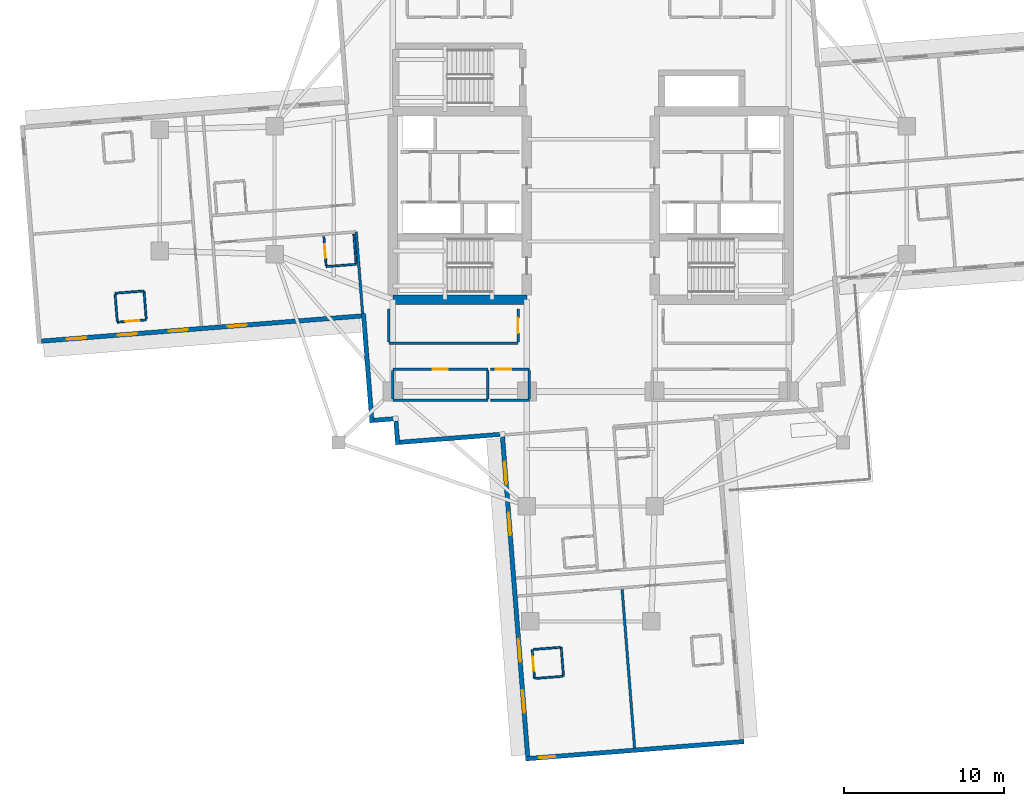
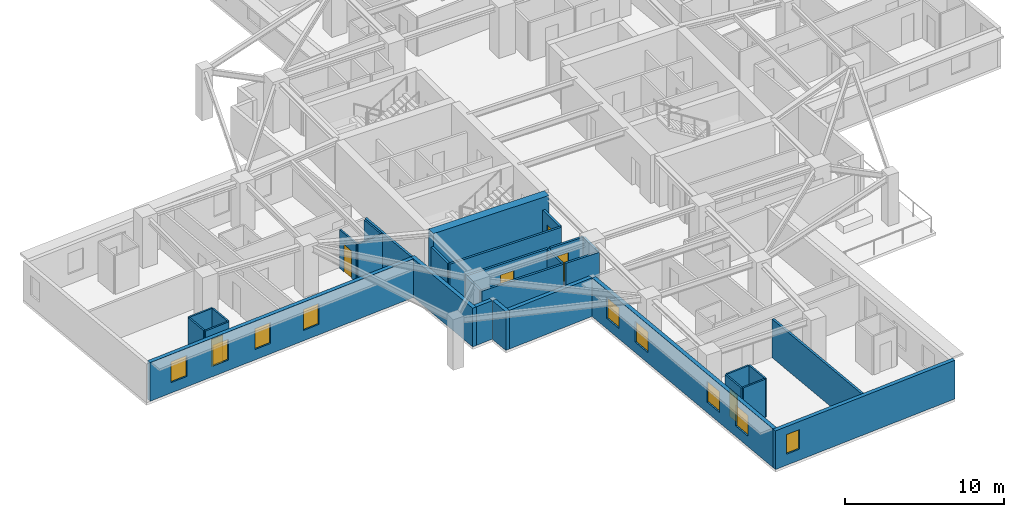
# One storey, part 3 of 14: 31 walls, 9 windows, 6 doors, 15 openings.
"""IFC4 building model written with IfcOpenShell, lengths in metres."""

from ifc_helpers import new_model, si_unit, direction, frame, frame_2d, origin, place, context, subcontext, project, spatial, rectangle, extrude, material, layer, layer_set, type_object, element, fill, save


model = new_model("IFC4")

# Units and contexts
model_context = context("Model", 3, precision=1e-05, world=origin(), true_north=direction((0.0, 1.0)))
body_context = subcontext(model_context, "Body", "Model", "MODEL_VIEW")
ifc_project = project(units=[si_unit("LENGTHUNIT", "METRE"), si_unit("AREAUNIT", "SQUARE_METRE"), si_unit("VOLUMEUNIT", "CUBIC_METRE"), si_unit("PLANEANGLEUNIT", "RADIAN"), si_unit("MASSUNIT", "GRAM", prefix="KILO")], contexts=[model_context])

# Site, building, storey
site_placement = place(None, origin())
site = spatial("IfcSite", under=ifc_project, at=site_placement, CompositionType="ELEMENT")
building_placement = place(site_placement, origin())
building = spatial("IfcBuilding", under=site, at=building_placement, Name="Qingluan Cross Belvedere", CompositionType="ELEMENT")
storey_placement = place(building_placement, frame((0.0, 0.0, 124.199951171875)))
storey = spatial("IfcBuildingStorey", under=building, at=storey_placement, Name="L31", CompositionType="ELEMENT", Elevation=124.199951171875)

# Walls
ifc_material_1 = material(Name="Concrete C60", Category="concrete")
ifc_layer_1 = layer(ifc_material_1, 0.60009765625, Name="CoreShearWall_600")
ifc_layer_set_1 = layer_set([ifc_layer_1], Name="Concrete C60")
wall_type_1 = type_object("IfcWallType", Name="CoreShearWall_600", PredefinedType="SHEAR", material=ifc_layer_set_1)
wall_1_placement = place(storey_placement, frame((-12.39990234375, -6.85009765625, 0.0), z_axis=(0.0, 0.0, 1.0), x_axis=(1.0, 0.0, 0.0)))
element("IfcWall", 1, at=wall_1_placement, inside=storey, type_object=wall_type_1, Name="Split core W shear wall L31-S", PredefinedType="SHEAR", context=body_context, shape_type="SweptSolid", body=[
    extrude(rectangle(XDim=8.39990234375, YDim=0.60009765625, at=frame_2d((4.199951171875, 0.0))), origin(), (0.0, 0.0, 1.0), 3.699951171875),
])
ifc_material_2 = material(Name="Gypsum plasterboard on steel stud acoustic partition", Category="steel")
ifc_layer_2 = layer(ifc_material_2, 0.159912109375, Name="CorridorPartition_160")
ifc_layer_set_2 = layer_set([ifc_layer_2], Name="Gypsum plasterboard on steel stud acoustic partition")
wall_type_2 = type_object("IfcWallType", Name="CorridorPartition_160", PredefinedType="PARTITIONING", material=ifc_layer_set_2)
wall_2_placement = place(storey_placement, frame((-12.39990234375, -13.14990234375, 0.0), z_axis=(0.0, 0.0, 1.0), x_axis=(1.0, 0.0, 0.0)))
element("IfcWall", 2, at=wall_2_placement, inside=storey, type_object=wall_type_2, Name="Partition L31:q_sw1:S", PredefinedType="PARTITIONING", context=body_context, shape_type="SweptSolid", body=[
    extrude(rectangle(XDim=5.949951171875, YDim=0.159912109375, at=frame_2d((2.97509765625, 0.0))), origin(), (0.0, 0.0, 1.0), 2.9599609375),
])

# Wall, opening, door
wall_3_placement = place(storey_placement, frame((-12.39990234375, -11.199951171875, 0.0), z_axis=(0.0, 0.0, 1.0), x_axis=(1.0, 0.0, 0.0)))
wall_3 = element("IfcWall", 3, at=wall_3_placement, inside=storey, type_object=wall_type_2, Name="Partition L31:q_sw1:N", PredefinedType="PARTITIONING", context=body_context, shape_type="SweptSolid", body=[
    extrude(rectangle(XDim=5.949951171875, YDim=0.159912109375, at=frame_2d((2.97509765625, 0.0))), origin(), (0.0, 0.0, 1.0), 2.9599609375),
])
opening_1_placement = place(wall_3_placement, frame((2.4951171875, 0.0, 0.0)))
opening_1 = element("IfcOpeningElement", 4, at=opening_1_placement, cuts=wall_3, Name="Opening GD-10", PredefinedType="OPENING", context=body_context, shape_type="SweptSolid", body=[
    extrude(rectangle(XDim=0.9599609375, YDim=2.14990234375, at=frame_2d((0.47998046875, 1.074951171875))), frame((0.0, 0.08984375, 0.0), z_axis=(0.0, -1.0, 0.0), x_axis=(1.0, 0.0, 0.0)), (0.0, 0.0, 1.0), 0.179931640625),
])
ifc_material_3 = material(Name="Timber oak fire-rated acoustic guestroom door", Category="wood")
door_type_1 = type_object("IfcDoorType", Name="GuestEntryDoor_FD60", OperationType="NOTDEFINED", PredefinedType="DOOR", material=ifc_material_3)
door_1_placement = place(opening_1_placement, origin())
door_1 = element("IfcDoor", 5, at=door_1_placement, inside=storey, type_object=door_type_1, Name="Reading library room L31 door", OperationType="SINGLE_SWING_LEFT", OverallHeight=2.14990234375, OverallWidth=0.9599609375, PredefinedType="DOOR", context=body_context, shape_type="SweptSolid", body=[
    extrude(rectangle(XDim=0.9599609375, YDim=2.14990234375, at=frame_2d((0.47998046875, 1.074951171875))), frame((0.0, 0.02490234375, 0.0), z_axis=(0.0, -1.0, 0.0), x_axis=(1.0, 0.0, 0.0)), (0.0, 0.0, 1.0), 0.050048828125),
])
fill(opening_1, door_1)

# Walls
for number, where, z_axis, x_axis, name in (
    (6, (-12.39990234375, -13.06494140625, 0.0), (0.0, 0.0, 1.0), (0.0, 1.0, 0.0), "Partition L31:q_sw1:W"),
    (7, (-6.449951171875, -13.06494140625, 0.0), (0.0, 0.0, 1.0), (0.0, 1.0, 0.0), "Partition L31:q_sw1:E"),
):
    element("IfcWall", number, at=place(storey_placement, frame(where, z_axis=z_axis, x_axis=x_axis)), inside=storey, type_object=wall_type_2, Name=name, PredefinedType="PARTITIONING", context=body_context, shape_type="SweptSolid", body=[
        extrude(rectangle(XDim=1.780029296875, YDim=0.159912109375, at=frame_2d((0.89013671875, 0.0))), origin(), (0.0, 0.0, 1.0), 2.9599609375),
    ])
wall_4_placement = place(storey_placement, frame((-6.2900390625, -13.14990234375, 0.0), z_axis=(0.0, 0.0, 1.0), x_axis=(1.0, 0.0, 0.0)))
element("IfcWall", 8, at=wall_4_placement, inside=storey, type_object=wall_type_2, Name="Partition L31:q_sw2:S", PredefinedType="PARTITIONING", context=body_context, shape_type="SweptSolid", body=[
    extrude(rectangle(XDim=2.43994140625, YDim=0.159912109375, at=frame_2d((1.219970703125, 0.0))), origin(), (0.0, 0.0, 1.0), 2.9599609375),
])

# Wall, opening, door
wall_5_placement = place(storey_placement, frame((-6.2900390625, -11.199951171875, 0.0), z_axis=(0.0, 0.0, 1.0), x_axis=(1.0, 0.0, 0.0)))
wall_5 = element("IfcWall", 9, at=wall_5_placement, inside=storey, type_object=wall_type_2, Name="Partition L31:q_sw2:N", PredefinedType="PARTITIONING", context=body_context, shape_type="SweptSolid", body=[
    extrude(rectangle(XDim=2.43994140625, YDim=0.159912109375, at=frame_2d((1.219970703125, 0.0))), origin(), (0.0, 0.0, 1.0), 2.9599609375),
])
opening_2_placement = place(wall_5_placement, frame((0.35009765625, 0.0, 0.0)))
opening_2 = element("IfcOpeningElement", 10, at=opening_2_placement, cuts=wall_5, Name="Opening GD-10", PredefinedType="OPENING", context=body_context, shape_type="SweptSolid", body=[
    extrude(rectangle(XDim=0.9599609375, YDim=2.14990234375, at=frame_2d((0.47998046875, 1.074951171875))), frame((0.0, 0.08984375, 0.0), z_axis=(0.0, -1.0, 0.0), x_axis=(1.0, 0.0, 0.0)), (0.0, 0.0, 1.0), 0.179931640625),
])
door_2_placement = place(opening_2_placement, origin())
door_2 = element("IfcDoor", 11, at=door_2_placement, inside=storey, type_object=door_type_1, Name="Southwest reading room L31 door", OperationType="SINGLE_SWING_RIGHT", OverallHeight=2.14990234375, OverallWidth=0.9599609375, PredefinedType="DOOR", context=body_context, shape_type="SweptSolid", body=[
    extrude(rectangle(XDim=0.9599609375, YDim=2.14990234375, at=frame_2d((0.47998046875, 1.074951171875))), frame((0.0, 0.02490234375, 0.0), z_axis=(0.0, -1.0, 0.0), x_axis=(1.0, 0.0, 0.0)), (0.0, 0.0, 1.0), 0.050048828125),
])
fill(opening_2, door_2)

# Walls
wall_6_placement = place(storey_placement, frame((-3.85009765625, -13.06494140625, 0.0), z_axis=(0.0, 0.0, 1.0), x_axis=(0.0, 1.0, 0.0)))
element("IfcWall", 12, at=wall_6_placement, inside=storey, type_object=wall_type_2, Name="Partition L31:q_sw2:E", PredefinedType="PARTITIONING", context=body_context, shape_type="SweptSolid", body=[
    extrude(rectangle(XDim=1.780029296875, YDim=0.159912109375, at=frame_2d((0.89013671875, 0.0))), origin(), (0.0, 0.0, 1.0), 2.9599609375),
])
wall_7_placement = place(storey_placement, frame((-12.64990234375, -9.580078125, 0.0), z_axis=(0.0, 0.0, 1.0), x_axis=(1.0, 0.0, 0.0)))
element("IfcWall", 13, at=wall_7_placement, inside=storey, type_object=wall_type_2, Name="Partition L31:rec_st4_w:S", PredefinedType="PARTITIONING", context=body_context, shape_type="SweptSolid", body=[
    extrude(rectangle(XDim=8.099853515625, YDim=0.159912109375, at=frame_2d((4.0498046875, 0.0))), origin(), (0.0, 0.0, 1.0), 2.9599609375),
])
wall_8_placement = place(storey_placement, frame((-12.64990234375, -9.4951171875, 0.0), z_axis=(0.0, 0.0, 1.0), x_axis=(0.0, 1.0, 0.0)))
element("IfcWall", 14, at=wall_8_placement, inside=storey, type_object=wall_type_2, Name="Partition L31:rec_st4_w:W", PredefinedType="PARTITIONING", context=body_context, shape_type="SweptSolid", body=[
    extrude(rectangle(XDim=2.06005859375, YDim=0.159912109375, at=frame_2d((1.030029296875, 0.0))), origin(), (0.0, 0.0, 1.0), 2.9599609375),
])

# Wall, opening, door
wall_9_placement = place(storey_placement, frame((-4.550048828125, -9.4951171875, 0.0), z_axis=(0.0, 0.0, 1.0), x_axis=(0.0, 1.0, 0.0)))
wall_9 = element("IfcWall", 15, at=wall_9_placement, inside=storey, type_object=wall_type_2, Name="Partition L31:rec_st4_w:E", PredefinedType="PARTITIONING", context=body_context, shape_type="SweptSolid", body=[
    extrude(rectangle(XDim=2.06005859375, YDim=0.159912109375, at=frame_2d((1.030029296875, 0.0))), origin(), (0.0, 0.0, 1.0), 2.9599609375),
])
opening_3_placement = place(wall_9_placement, frame((0.550048828125, 0.0, 0.0)))
opening_3 = element("IfcOpeningElement", 16, at=opening_3_placement, cuts=wall_9, Name="Opening GD-10", PredefinedType="OPENING", context=body_context, shape_type="SweptSolid", body=[
    extrude(rectangle(XDim=0.9599609375, YDim=2.14990234375, at=frame_2d((0.47998046875, 1.074951171875))), frame((0.0, 0.08984375, 0.0), z_axis=(0.0, -1.0, 0.0), x_axis=(1.0, 0.0, 0.0)), (0.0, 0.0, 1.0), 0.179931640625),
])
door_3_placement = place(opening_3_placement, origin())
door_3 = element("IfcDoor", 17, at=door_3_placement, inside=storey, type_object=door_type_1, Name="Southwest club reading room L31 door", OperationType="SINGLE_SWING_LEFT", OverallHeight=2.14990234375, OverallWidth=0.9599609375, PredefinedType="DOOR", context=body_context, shape_type="SweptSolid", body=[
    extrude(rectangle(XDim=0.9599609375, YDim=2.14990234375, at=frame_2d((0.47998046875, 1.074951171875))), frame((0.0, 0.02490234375, 0.0), z_axis=(0.0, -1.0, 0.0), x_axis=(1.0, 0.0, 0.0)), (0.0, 0.0, 1.0), 0.050048828125),
])
fill(opening_3, door_3)

# Walls
wall_10_placement = place(storey_placement, frame((-14.691162109375, -2.6005859375, 0.0), z_axis=(0.0, 0.0, 1.0), x_axis=(0.078446190021, -0.99691834935, 0.0)))
element("IfcWall", 18, at=wall_10_placement, inside=storey, type_object=wall_type_2, Name="Partition L31:W:s1", PredefinedType="PARTITIONING", context=body_context, shape_type="SweptSolid", body=[
    extrude(rectangle(XDim=5.132080078125, YDim=0.159912109375, at=frame_2d((2.56591796875, 0.0))), origin(), (0.0, 0.0, 1.0), 2.9599609375),
])
wall_11_placement = place(storey_placement, frame((1.967041015625, -24.99267578125, 0.0), z_axis=(0.0, 0.0, 1.0), x_axis=(0.078446753713, -0.996918304994, 0.0)))
element("IfcWall", 19, at=wall_11_placement, inside=storey, type_object=wall_type_2, Name="Partition L31:Scap:mid", PredefinedType="PARTITIONING", context=body_context, shape_type="SweptSolid", body=[
    extrude(rectangle(XDim=9.962158203125, YDim=0.159912109375, at=frame_2d((4.98095703125, 0.0))), origin(), (0.0, 0.0, 1.0), 2.9599609375),
])

# Wall, opening, door
ifc_material_4 = material(Name="Moisture-resistant gypsum board lining")
ifc_layer_3 = layer(ifc_material_4, 0.1201171875, Name="EnsuiteWetPartition_120")
ifc_layer_set_3 = layer_set([ifc_layer_3], Name="Moisture-resistant gypsum board lining")
wall_type_3 = type_object("IfcWallType", Name="EnsuiteWetPartition_120", PredefinedType="PARTITIONING", material=ifc_layer_set_3)
wall_12_placement = place(storey_placement, frame((-16.5712890625, -4.714599609375, 0.0), z_axis=(0.0, 0.0, 1.0), x_axis=(-0.078481444107, 0.996915574626, 0.0)))
wall_12 = element("IfcWall", 20, at=wall_12_placement, inside=storey, type_object=wall_type_3, Name="Partition L31:W:bs1_0", PredefinedType="PARTITIONING", context=body_context, shape_type="SweptSolid", body=[
    extrude(rectangle(XDim=1.81982421875, YDim=0.1201171875, at=frame_2d((0.909912109375, 0.0))), origin(), (0.0, 0.0, 1.0), 2.9599609375),
])
opening_4_placement = place(wall_12_placement, frame((0.469970703125, 0.0, 0.0)))
opening_4 = element("IfcOpeningElement", 21, at=opening_4_placement, cuts=wall_12, Name="Opening BD-09", PredefinedType="OPENING", context=body_context, shape_type="SweptSolid", body=[
    extrude(rectangle(XDim=0.8798828125, YDim=2.10009765625, at=frame_2d((0.43994140625, 1.050048828125))), frame((0.0, 0.070068359375, 0.0), z_axis=(0.0, -1.0, 0.0), x_axis=(1.0, 0.0, 0.0)), (0.0, 0.0, 1.0), 0.14013671875),
])
ifc_material_5 = material(Name="Moisture-sealed timber en-suite door", Category="wood")
door_type_2 = type_object("IfcDoorType", Name="BathroomDoor_880", OperationType="NOTDEFINED", PredefinedType="DOOR", material=ifc_material_5)
door_4_placement = place(opening_4_placement, origin())
door_4 = element("IfcDoor", 22, at=door_4_placement, inside=storey, type_object=door_type_2, Name="Bathroom door 3106", OperationType="SINGLE_SWING_LEFT", OverallHeight=2.10009765625, OverallWidth=0.8798828125, PredefinedType="DOOR", context=body_context, shape_type="SweptSolid", body=[
    extrude(rectangle(XDim=0.8798828125, YDim=2.10009765625, at=frame_2d((0.43994140625, 1.050048828125))), frame((0.0, 0.02490234375, 0.0), z_axis=(0.0, -1.0, 0.0), x_axis=(1.0, 0.0, 0.0)), (0.0, 0.0, 1.0), 0.050048828125),
])
fill(opening_4, door_4)

# Walls
wall_13_placement = place(storey_placement, frame((-14.697021484375, -4.567138671875, 0.0), z_axis=(0.0, 0.0, 1.0), x_axis=(-0.0784709492, 0.996916400774, 0.0)))
element("IfcWall", 23, at=wall_13_placement, inside=storey, type_object=wall_type_3, Name="Partition L31:W:bw1_0", PredefinedType="PARTITIONING", context=body_context, shape_type="SweptSolid", body=[
    extrude(rectangle(XDim=1.820068359375, YDim=0.1201171875, at=frame_2d((0.91015625, 0.0))), origin(), (0.0, 0.0, 1.0), 2.9599609375),
])
wall_14_placement = place(storey_placement, frame((-14.69189453125, -4.632080078125, 0.0), z_axis=(0.0, 0.0, 1.0), x_axis=(-0.996919293781, -0.07843418698, 0.0)))
element("IfcWall", 24, at=wall_14_placement, inside=storey, type_object=wall_type_3, Name="Partition L31:W:bc1_0", PredefinedType="PARTITIONING", context=body_context, shape_type="SweptSolid", body=[
    extrude(rectangle(XDim=1.880126953125, YDim=0.1201171875, at=frame_2d((0.93994140625, 0.0))), origin(), (0.0, 0.0, 1.0), 2.9599609375),
])
for number, where, z_axis, x_axis, name in (
    (25, (-27.843505859375, -8.059326171875, 0.0), (0.0, 0.0, 1.0), (-0.078420762289, 0.996920349899, 0.0), "Partition L31:Wcap:b1a"),
    (26, (-29.657958984375, -8.2021484375, 0.0), (0.0, 0.0, 1.0), (-0.078420762289, 0.996920349899, 0.0), "Partition L31:Wcap:b1b"),
):
    element("IfcWall", number, at=place(storey_placement, frame(where, z_axis=z_axis, x_axis=x_axis)), inside=storey, type_object=wall_type_3, Name=name, PredefinedType="PARTITIONING", context=body_context, shape_type="SweptSolid", body=[
        extrude(rectangle(XDim=1.69970703125, YDim=0.1201171875, at=frame_2d((0.849853515625, 0.0))), origin(), (0.0, 0.0, 1.0), 2.9599609375),
    ])

# Wall, opening, door
wall_15_placement = place(storey_placement, frame((-27.8388671875, -8.119140625, 0.0), z_axis=(0.0, 0.0, 1.0), x_axis=(-0.996916400774, -0.0784709492, 0.0)))
wall_15 = element("IfcWall", 27, at=wall_15_placement, inside=storey, type_object=wall_type_3, Name="Partition L31:Wcap:b1s", PredefinedType="PARTITIONING", context=body_context, shape_type="SweptSolid", body=[
    extrude(rectangle(XDim=1.820068359375, YDim=0.1201171875, at=frame_2d((0.91015625, 0.0))), origin(), (0.0, 0.0, 1.0), 2.9599609375),
])
opening_5_placement = place(wall_15_placement, frame((0.449951171875, 0.0, 0.0)))
opening_5 = element("IfcOpeningElement", 28, at=opening_5_placement, cuts=wall_15, Name="Opening BD-09", PredefinedType="OPENING", context=body_context, shape_type="SweptSolid", body=[
    extrude(rectangle(XDim=0.8798828125, YDim=2.10009765625, at=frame_2d((0.43994140625, 1.050048828125))), frame((0.0, 0.070068359375, 0.0), z_axis=(0.0, -1.0, 0.0), x_axis=(1.0, 0.0, 0.0)), (0.0, 0.0, 1.0), 0.14013671875),
])
door_5_placement = place(opening_5_placement, origin())
door_5 = element("IfcDoor", 29, at=door_5_placement, inside=storey, type_object=door_type_2, Name="En-suite bathroom door L31W1", OperationType="SINGLE_SWING_RIGHT", OverallHeight=2.10009765625, OverallWidth=0.8798828125, PredefinedType="DOOR", context=body_context, shape_type="SweptSolid", body=[
    extrude(rectangle(XDim=0.8798828125, YDim=2.10009765625, at=frame_2d((0.43994140625, 1.050048828125))), frame((0.0, 0.02490234375, 0.0), z_axis=(0.0, -1.0, 0.0), x_axis=(1.0, 0.0, 0.0)), (0.0, 0.0, 1.0), 0.050048828125),
])
fill(opening_5, door_5)

# Wall
wall_16_placement = place(storey_placement, frame((-27.981689453125, -6.3046875, 0.0), z_axis=(0.0, 0.0, 1.0), x_axis=(-0.996915574626, -0.078481444107, 0.0)))
element("IfcWall", 30, at=wall_16_placement, inside=storey, type_object=wall_type_3, Name="Partition L31:Wcap:b1n", PredefinedType="PARTITIONING", context=body_context, shape_type="SweptSolid", body=[
    extrude(rectangle(XDim=1.81982421875, YDim=0.1201171875, at=frame_2d((0.909912109375, 0.0))), origin(), (0.0, 0.0, 1.0), 2.9599609375),
])

# Wall, opening, door
wall_17_placement = place(storey_placement, frame((-3.664306640625, -28.76611328125, 0.0), z_axis=(0.0, 0.0, 1.0), x_axis=(0.0784709492, -0.996916400774, 0.0)))
wall_17 = element("IfcWall", 31, at=wall_17_placement, inside=storey, type_object=wall_type_3, Name="Partition L31:Scap:b1s", PredefinedType="PARTITIONING", context=body_context, shape_type="SweptSolid", body=[
    extrude(rectangle(XDim=1.820068359375, YDim=0.1201171875, at=frame_2d((0.91015625, 0.0))), origin(), (0.0, 0.0, 1.0), 2.9599609375),
])
opening_6_placement = place(wall_17_placement, frame((0.449951171875, 0.0, 0.0)))
opening_6 = element("IfcOpeningElement", 32, at=opening_6_placement, cuts=wall_17, Name="Opening BD-09", PredefinedType="OPENING", context=body_context, shape_type="SweptSolid", body=[
    extrude(rectangle(XDim=0.8798828125, YDim=2.10009765625, at=frame_2d((0.43994140625, 1.050048828125))), frame((0.0, 0.070068359375, 0.0), z_axis=(0.0, -1.0, 0.0), x_axis=(1.0, 0.0, 0.0)), (0.0, 0.0, 1.0), 0.14013671875),
])
door_6_placement = place(opening_6_placement, origin())
door_6 = element("IfcDoor", 33, at=door_6_placement, inside=storey, type_object=door_type_2, Name="En-suite bathroom door L31S1", OperationType="SINGLE_SWING_RIGHT", OverallHeight=2.10009765625, OverallWidth=0.8798828125, PredefinedType="DOOR", context=body_context, shape_type="SweptSolid", body=[
    extrude(rectangle(XDim=0.8798828125, YDim=2.10009765625, at=frame_2d((0.43994140625, 1.050048828125))), frame((0.0, 0.02490234375, 0.0), z_axis=(0.0, -1.0, 0.0), x_axis=(1.0, 0.0, 0.0)), (0.0, 0.0, 1.0), 0.050048828125),
])
fill(opening_6, door_6)

# Walls
wall_18_placement = place(storey_placement, frame((-1.849853515625, -28.623291015625, 0.0), z_axis=(0.0, 0.0, 1.0), x_axis=(0.0784709492, -0.996916400774, 0.0)))
element("IfcWall", 34, at=wall_18_placement, inside=storey, type_object=wall_type_3, Name="Partition L31:Scap:b1b", PredefinedType="PARTITIONING", context=body_context, shape_type="SweptSolid", body=[
    extrude(rectangle(XDim=1.820068359375, YDim=0.1201171875, at=frame_2d((0.91015625, 0.0))), origin(), (0.0, 0.0, 1.0), 2.9599609375),
])
wall_19_placement = place(storey_placement, frame((-3.6044921875, -28.761474609375, 0.0), z_axis=(0.0, 0.0, 1.0), x_axis=(0.996920349899, 0.078420762289, 0.0)))
element("IfcWall", 35, at=wall_19_placement, inside=storey, type_object=wall_type_3, Name="Partition L31:Scap:b1a", PredefinedType="PARTITIONING", context=body_context, shape_type="SweptSolid", body=[
    extrude(rectangle(XDim=1.69970703125, YDim=0.1201171875, at=frame_2d((0.849853515625, 0.0))), origin(), (0.0, 0.0, 1.0), 2.9599609375),
])
wall_20_placement = place(storey_placement, frame((-3.461669921875, -30.575927734375, 0.0), z_axis=(0.0, 0.0, 1.0), x_axis=(0.996909111094, 0.078563504361, 0.0)))
element("IfcWall", 36, at=wall_20_placement, inside=storey, type_object=wall_type_3, Name="Partition L31:Scap:b1n", PredefinedType="PARTITIONING", context=body_context, shape_type="SweptSolid", body=[
    extrude(rectangle(XDim=1.699951171875, YDim=0.1201171875, at=frame_2d((0.85009765625, 0.0))), origin(), (0.0, 0.0, 1.0), 2.9599609375),
])

# Wall, openings, windows
ifc_material_6 = material(Name="Precast concrete C45", Category="concrete")
ifc_layer_4 = layer(ifc_material_6, 0.280029296875, Name="PrecastFacadeWall_280")
ifc_layer_set_4 = layer_set([ifc_layer_4], Name="Precast concrete C45")
wall_type_4 = type_object("IfcWallType", Name="PrecastFacadeWall_280", PredefinedType="STANDARD", material=ifc_layer_set_4)
wall_21_placement = place(storey_placement, frame((-34.40478515625, -9.448486328125, 0.0), z_axis=(0.0, 0.0, 1.0), x_axis=(0.996917828963, 0.078452802979, 0.0)))
wall_21 = element("IfcWall", 37, at=wall_21_placement, inside=storey, type_object=wall_type_4, Name="Facade wall L31-WB", PredefinedType="STANDARD", context=body_context, shape_type="SweptSolid", body=[
    extrude(rectangle(XDim=20.10009765625, YDim=0.280029296875, at=frame_2d((10.050048828125, 0.0))), origin(), (0.0, 0.0, 1.0), 2.969970703125),
])
opening_7_placement = place(wall_21_placement, frame((1.60009765625, 0.0, 0.800048828125)))
opening_7 = element("IfcOpeningElement", 38, at=opening_7_placement, cuts=wall_21, Name="Opening W-02", PredefinedType="OPENING", context=body_context, shape_type="SweptSolid", body=[
    extrude(rectangle(XDim=1.199951171875, YDim=1.60009765625, at=frame_2d((0.60009765625, 0.800048828125))), frame((0.0, 0.14990234375, 0.0), z_axis=(0.0, -1.0, 0.0), x_axis=(1.0, 0.0, 0.0)), (0.0, 0.0, 1.0), 0.300048828125),
])
opening_8_placement = place(wall_21_placement, frame((4.800048828125, 0.0, 0.800048828125)))
opening_8 = element("IfcOpeningElement", 39, at=opening_8_placement, cuts=wall_21, Name="Opening W-02", PredefinedType="OPENING", context=body_context, shape_type="SweptSolid", body=[
    extrude(rectangle(XDim=1.199951171875, YDim=1.60009765625, at=frame_2d((0.60009765625, 0.800048828125))), frame((0.0, 0.14990234375, 0.0), z_axis=(0.0, -1.0, 0.0), x_axis=(1.0, 0.0, 0.0)), (0.0, 0.0, 1.0), 0.300048828125),
])
opening_9_placement = place(wall_21_placement, frame((8.0, 0.0, 0.800048828125)))
opening_9 = element("IfcOpeningElement", 40, at=opening_9_placement, cuts=wall_21, Name="Opening W-02", PredefinedType="OPENING", context=body_context, shape_type="SweptSolid", body=[
    extrude(rectangle(XDim=1.199951171875, YDim=1.60009765625, at=frame_2d((0.60009765625, 0.800048828125))), frame((0.0, 0.14990234375, 0.0), z_axis=(0.0, -1.0, 0.0), x_axis=(1.0, 0.0, 0.0)), (0.0, 0.0, 1.0), 0.300048828125),
])
opening_10_placement = place(wall_21_placement, frame((11.699951171875, 0.0, 0.800048828125)))
opening_10 = element("IfcOpeningElement", 41, at=opening_10_placement, cuts=wall_21, Name="Opening W-02", PredefinedType="OPENING", context=body_context, shape_type="SweptSolid", body=[
    extrude(rectangle(XDim=1.199951171875, YDim=1.60009765625, at=frame_2d((0.60009765625, 0.800048828125))), frame((0.0, 0.14990234375, 0.0), z_axis=(0.0, -1.0, 0.0), x_axis=(1.0, 0.0, 0.0)), (0.0, 0.0, 1.0), 0.300048828125),
])
ifc_material_7 = material(Name="Thermally broken triple Low-E glass in aluminium frame", Category="aluminium")
window_type_1 = type_object("IfcWindowType", Name="TriRibbonWin_1200x1600", PartitioningType="SINGLE_PANEL", PredefinedType="WINDOW", material=ifc_material_7)
window_1_placement = place(opening_7_placement, origin())
window_1 = element("IfcWindow", 42, at=window_1_placement, inside=storey, type_object=window_type_1, Name="Ribbon window L31-WB-1", OverallHeight=1.60009765625, OverallWidth=1.199951171875, PartitioningType="SINGLE_PANEL", PredefinedType="WINDOW", context=body_context, shape_type="SweptSolid", body=[
    extrude(rectangle(XDim=1.199951171875, YDim=1.60009765625, at=frame_2d((0.60009765625, 0.800048828125))), frame((0.0, 0.030029296875, 0.0), z_axis=(0.0, -1.0, 0.0), x_axis=(1.0, 0.0, 0.0)), (0.0, 0.0, 1.0), 0.06005859375),
])
fill(opening_7, window_1)
window_2_placement = place(opening_8_placement, origin())
window_2 = element("IfcWindow", 43, at=window_2_placement, inside=storey, type_object=window_type_1, Name="Ribbon window L31-WB-2", OverallHeight=1.60009765625, OverallWidth=1.199951171875, PartitioningType="SINGLE_PANEL", PredefinedType="WINDOW", context=body_context, shape_type="SweptSolid", body=[
    extrude(rectangle(XDim=1.199951171875, YDim=1.60009765625, at=frame_2d((0.60009765625, 0.800048828125))), frame((0.0, 0.030029296875, 0.0), z_axis=(0.0, -1.0, 0.0), x_axis=(1.0, 0.0, 0.0)), (0.0, 0.0, 1.0), 0.06005859375),
])
fill(opening_8, window_2)
window_3_placement = place(opening_9_placement, origin())
window_3 = element("IfcWindow", 44, at=window_3_placement, inside=storey, type_object=window_type_1, Name="Ribbon window L31-WB-3", OverallHeight=1.60009765625, OverallWidth=1.199951171875, PartitioningType="SINGLE_PANEL", PredefinedType="WINDOW", context=body_context, shape_type="SweptSolid", body=[
    extrude(rectangle(XDim=1.199951171875, YDim=1.60009765625, at=frame_2d((0.60009765625, 0.800048828125))), frame((0.0, 0.030029296875, 0.0), z_axis=(0.0, -1.0, 0.0), x_axis=(1.0, 0.0, 0.0)), (0.0, 0.0, 1.0), 0.06005859375),
])
fill(opening_9, window_3)
window_4_placement = place(opening_10_placement, origin())
window_4 = element("IfcWindow", 45, at=window_4_placement, inside=storey, type_object=window_type_1, Name="Ribbon window L31-WB-4", OverallHeight=1.60009765625, OverallWidth=1.199951171875, PartitioningType="SINGLE_PANEL", PredefinedType="WINDOW", context=body_context, shape_type="SweptSolid", body=[
    extrude(rectangle(XDim=1.199951171875, YDim=1.60009765625, at=frame_2d((0.60009765625, 0.800048828125))), frame((0.0, 0.030029296875, 0.0), z_axis=(0.0, -1.0, 0.0), x_axis=(1.0, 0.0, 0.0)), (0.0, 0.0, 1.0), 0.06005859375),
])
fill(opening_10, window_4)

wall_22_placement = place(storey_placement, frame((-5.527099609375, -15.421142578125, 0.0), z_axis=(0.0, 0.0, 1.0), x_axis=(0.078452802979, -0.996917828963, 0.0)))
wall_22 = element("IfcWall", 46, at=wall_22_placement, inside=storey, type_object=wall_type_4, Name="Facade wall L31-SA", PredefinedType="STANDARD", context=body_context, shape_type="SweptSolid", body=[
    extrude(rectangle(XDim=20.10009765625, YDim=0.280029296875, at=frame_2d((10.050048828125, 0.0))), origin(), (0.0, 0.0, 1.0), 2.969970703125),
])
opening_11_placement = place(wall_22_placement, frame((1.60009765625, 0.0, 0.800048828125)))
opening_11 = element("IfcOpeningElement", 47, at=opening_11_placement, cuts=wall_22, Name="Opening W-01", PredefinedType="OPENING", context=body_context, shape_type="SweptSolid", body=[
    extrude(rectangle(XDim=1.39990234375, YDim=1.60009765625, at=frame_2d((0.699951171875, 0.800048828125))), frame((0.0, 0.14990234375, 0.0), z_axis=(0.0, -1.0, 0.0), x_axis=(1.0, 0.0, 0.0)), (0.0, 0.0, 1.0), 0.300048828125),
])
opening_12_placement = place(wall_22_placement, frame((4.800048828125, 0.0, 0.800048828125)))
opening_12 = element("IfcOpeningElement", 48, at=opening_12_placement, cuts=wall_22, Name="Opening W-01", PredefinedType="OPENING", context=body_context, shape_type="SweptSolid", body=[
    extrude(rectangle(XDim=1.39990234375, YDim=1.60009765625, at=frame_2d((0.699951171875, 0.800048828125))), frame((0.0, 0.14990234375, 0.0), z_axis=(0.0, -1.0, 0.0), x_axis=(1.0, 0.0, 0.0)), (0.0, 0.0, 1.0), 0.300048828125),
])
opening_13_placement = place(wall_22_placement, frame((12.75, 0.0, 0.800048828125)))
opening_13 = element("IfcOpeningElement", 49, at=opening_13_placement, cuts=wall_22, Name="Opening W-01", PredefinedType="OPENING", context=body_context, shape_type="SweptSolid", body=[
    extrude(rectangle(XDim=1.39990234375, YDim=1.60009765625, at=frame_2d((0.699951171875, 0.800048828125))), frame((0.0, 0.14990234375, 0.0), z_axis=(0.0, -1.0, 0.0), x_axis=(1.0, 0.0, 0.0)), (0.0, 0.0, 1.0), 0.300048828125),
])
opening_14_placement = place(wall_22_placement, frame((15.949951171875, 0.0, 0.800048828125)))
opening_14 = element("IfcOpeningElement", 50, at=opening_14_placement, cuts=wall_22, Name="Opening W-01", PredefinedType="OPENING", context=body_context, shape_type="SweptSolid", body=[
    extrude(rectangle(XDim=1.39990234375, YDim=1.60009765625, at=frame_2d((0.699951171875, 0.800048828125))), frame((0.0, 0.14990234375, 0.0), z_axis=(0.0, -1.0, 0.0), x_axis=(1.0, 0.0, 0.0)), (0.0, 0.0, 1.0), 0.300048828125),
])
ifc_material_8 = material(Name="Thermally broken triple Low-E glass in aluminium frame", Category="aluminium")
window_type_2 = type_object("IfcWindowType", Name="TriRibbonWin_1400x1600", PartitioningType="SINGLE_PANEL", PredefinedType="WINDOW", material=ifc_material_8)
window_5_placement = place(opening_11_placement, origin())
window_5 = element("IfcWindow", 51, at=window_5_placement, inside=storey, type_object=window_type_2, Name="Ribbon window L31-SA-1", OverallHeight=1.60009765625, OverallWidth=1.39990234375, PartitioningType="SINGLE_PANEL", PredefinedType="WINDOW", context=body_context, shape_type="SweptSolid", body=[
    extrude(rectangle(XDim=1.39990234375, YDim=1.60009765625, at=frame_2d((0.699951171875, 0.800048828125))), frame((0.0, 0.030029296875, 0.0), z_axis=(0.0, -1.0, 0.0), x_axis=(1.0, 0.0, 0.0)), (0.0, 0.0, 1.0), 0.06005859375),
])
fill(opening_11, window_5)
window_6_placement = place(opening_12_placement, origin())
window_6 = element("IfcWindow", 52, at=window_6_placement, inside=storey, type_object=window_type_2, Name="Ribbon window L31-SA-2", OverallHeight=1.60009765625, OverallWidth=1.39990234375, PartitioningType="SINGLE_PANEL", PredefinedType="WINDOW", context=body_context, shape_type="SweptSolid", body=[
    extrude(rectangle(XDim=1.39990234375, YDim=1.60009765625, at=frame_2d((0.699951171875, 0.800048828125))), frame((0.0, 0.030029296875, 0.0), z_axis=(0.0, -1.0, 0.0), x_axis=(1.0, 0.0, 0.0)), (0.0, 0.0, 1.0), 0.06005859375),
])
fill(opening_12, window_6)
window_7_placement = place(opening_13_placement, origin())
window_7 = element("IfcWindow", 53, at=window_7_placement, inside=storey, type_object=window_type_2, Name="Ribbon window L31-SA-3", OverallHeight=1.60009765625, OverallWidth=1.39990234375, PartitioningType="SINGLE_PANEL", PredefinedType="WINDOW", context=body_context, shape_type="SweptSolid", body=[
    extrude(rectangle(XDim=1.39990234375, YDim=1.60009765625, at=frame_2d((0.699951171875, 0.800048828125))), frame((0.0, 0.030029296875, 0.0), z_axis=(0.0, -1.0, 0.0), x_axis=(1.0, 0.0, 0.0)), (0.0, 0.0, 1.0), 0.06005859375),
])
fill(opening_13, window_7)
window_8_placement = place(opening_14_placement, origin())
window_8 = element("IfcWindow", 54, at=window_8_placement, inside=storey, type_object=window_type_2, Name="Ribbon window L31-SA-4", OverallHeight=1.60009765625, OverallWidth=1.39990234375, PartitioningType="SINGLE_PANEL", PredefinedType="WINDOW", context=body_context, shape_type="SweptSolid", body=[
    extrude(rectangle(XDim=1.39990234375, YDim=1.60009765625, at=frame_2d((0.699951171875, 0.800048828125))), frame((0.0, 0.030029296875, 0.0), z_axis=(0.0, -1.0, 0.0), x_axis=(1.0, 0.0, 0.0)), (0.0, 0.0, 1.0), 0.06005859375),
])
fill(opening_14, window_8)

# Wall, opening, window
wall_23_placement = place(storey_placement, frame((-4.07861328125, -35.60986328125, 0.0), z_axis=(0.0, 0.0, 1.0), x_axis=(0.996916198482, 0.078473519122, 0.0)))
wall_23 = element("IfcWall", 55, at=wall_23_placement, inside=storey, type_object=wall_type_4, Name="Arm tip precast facade wall L31-S", PredefinedType="STANDARD", context=body_context, shape_type="SweptSolid", body=[
    extrude(rectangle(XDim=13.719970703125, YDim=0.280029296875, at=frame_2d((6.85986328125, 0.0))), origin(), (0.0, 0.0, 1.0), 2.969970703125),
])
opening_15_placement = place(wall_23_placement, frame((0.85009765625, 0.0, 0.85009765625)))
opening_15 = element("IfcOpeningElement", 56, at=opening_15_placement, cuts=wall_23, Name="Opening W-03", PredefinedType="OPENING", context=body_context, shape_type="SweptSolid", body=[
    extrude(rectangle(XDim=1.0, YDim=1.5, at=frame_2d((0.5, 0.75))), frame((0.0, 0.14990234375, 0.0), z_axis=(0.0, -1.0, 0.0), x_axis=(1.0, 0.0, 0.0)), (0.0, 0.0, 1.0), 0.300048828125),
])
ifc_material_9 = material(Name="Thermally broken triple Low-E glass in aluminium frame", Category="aluminium")
window_type_3 = type_object("IfcWindowType", Name="TriApexWin_1000x1500", PartitioningType="SINGLE_PANEL", PredefinedType="WINDOW", material=ifc_material_9)
window_9_placement = place(opening_15_placement, origin())
window_9 = element("IfcWindow", 57, at=window_9_placement, inside=storey, type_object=window_type_3, Name="Arm tip triangular window L31-S", OverallHeight=1.5, OverallWidth=1.0, PartitioningType="SINGLE_PANEL", PredefinedType="WINDOW", context=body_context, shape_type="SweptSolid", body=[
    extrude(rectangle(XDim=1.0, YDim=1.5, at=frame_2d((0.5, 0.75))), frame((0.0, 0.030029296875, 0.0), z_axis=(0.0, -1.0, 0.0), x_axis=(1.0, 0.0, 0.0)), (0.0, 0.0, 1.0), 0.06005859375),
])
fill(opening_15, window_9)

# Walls
wall_24_placement = place(storey_placement, frame((-14.238037109375, -7.720947265625, 0.0), z_axis=(0.0, 0.0, 1.0), x_axis=(0.078438149236, -0.996918982036, 0.0)))
element("IfcWall", 58, at=wall_24_placement, inside=storey, type_object=wall_type_4, Name="Corner wall L31-SW1", PredefinedType="STANDARD", context=body_context, shape_type="SweptSolid", body=[
    extrude(rectangle(XDim=6.860107421875, YDim=0.280029296875, at=frame_2d((3.43017578125, 0.0))), origin(), (0.0, 0.0, 1.0), 2.969970703125),
])
wall_25_placement = place(storey_placement, frame((-13.5712890625, -14.4091796875, 0.0), z_axis=(0.0, 0.0, 1.0), x_axis=(0.996918772, 0.078440818672, 0.0)))
element("IfcWall", 59, at=wall_25_placement, inside=storey, type_object=wall_type_4, Name="Corner wall L31-SW2", PredefinedType="STANDARD", context=body_context, shape_type="SweptSolid", body=[
    extrude(rectangle(XDim=1.219970703125, YDim=0.280029296875, at=frame_2d((0.60986328125, 0.0))), origin(), (0.0, 0.0, 1.0), 2.969970703125),
])
wall_26_placement = place(storey_placement, frame((-12.20458984375, -14.442138671875, 0.0), z_axis=(0.0, 0.0, 1.0), x_axis=(0.078451338629, -0.9969179442, 0.0)))
element("IfcWall", 60, at=wall_26_placement, inside=storey, type_object=wall_type_4, Name="Corner wall L31-SW3", PredefinedType="STANDARD", context=body_context, shape_type="SweptSolid", body=[
    extrude(rectangle(XDim=1.5, YDim=0.280029296875, at=frame_2d((0.75, 0.0))), origin(), (0.0, 0.0, 1.0), 2.969970703125),
])
wall_27_placement = place(storey_placement, frame((-11.958251953125, -15.786865234375, 0.0), z_axis=(0.0, 0.0, 1.0), x_axis=(0.996916125428, 0.078474447191, 0.0)))
element("IfcWall", 61, at=wall_27_placement, inside=storey, type_object=wall_type_4, Name="Corner wall L31-SW4", PredefinedType="STANDARD", context=body_context, shape_type="SweptSolid", body=[
    extrude(rectangle(XDim=6.300048828125, YDim=0.280029296875, at=frame_2d((3.14990234375, 0.0))), origin(), (0.0, 0.0, 1.0), 2.969970703125),
])

save(model, "model.ifc")
